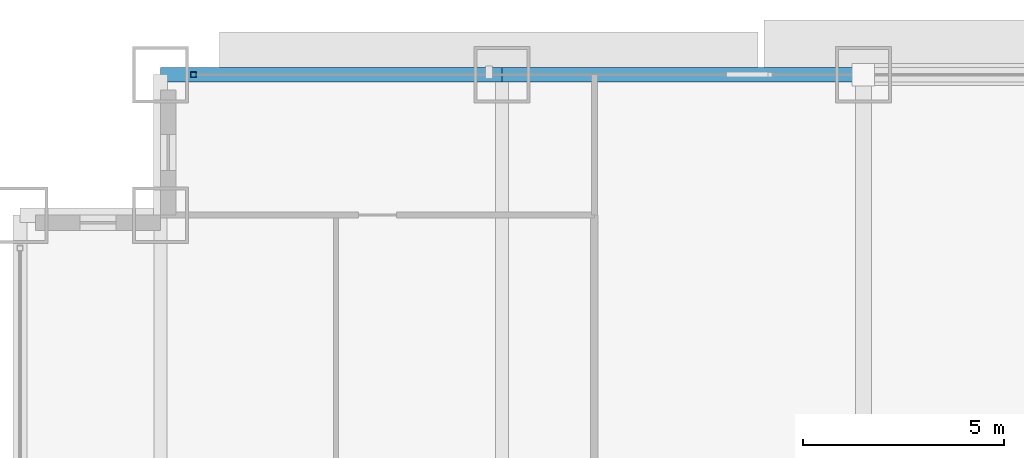
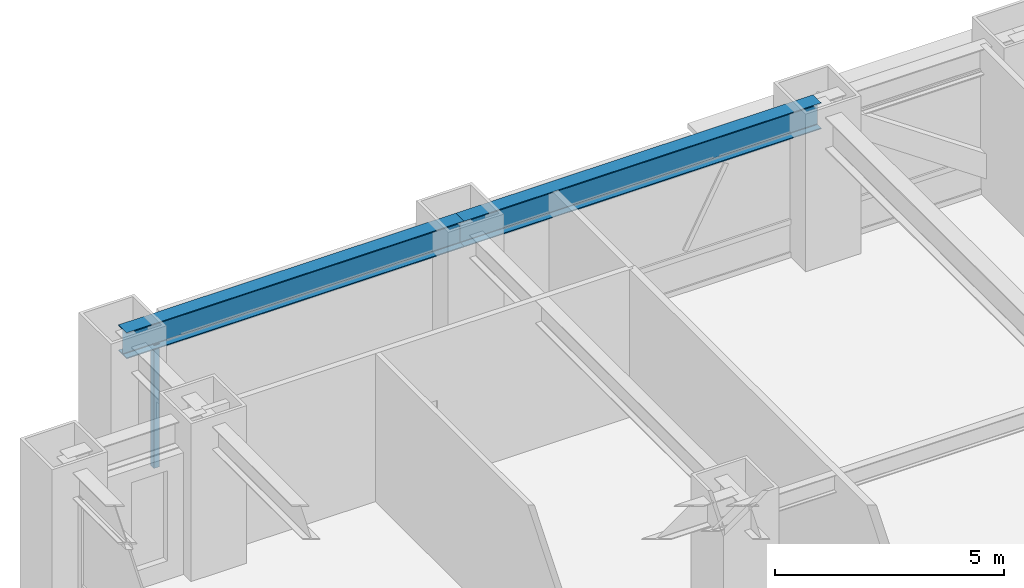
# One storey, part 17 of 32: 2 beams, 1 member, 1 element without a shape of its own.
"""IFC4 building model written with IfcOpenShell, lengths in metres."""

import ifcopenshell
import ifcopenshell.guid

model = None  # the IFC model being written
_history = None  # IfcOwnerHistory: only IFC2X3 demands one
_inside = {}  # id of a spatial element -> (the spatial element, [elements in it])
_under = {}  # id of a project, library or spatial element -> (it, [spatial elements below it])
_declared = {}  # id of a project -> (the project, [libraries it declares])
_typed = {}  # id of a type object -> (the type object, [elements of that type])
_made_of = {}  # id of a material, layer set ... -> (it, [elements and type objects made of it])


def new_model(schema):
    """Start an empty IFC model of exactly this schema.

    Asked for "IFC4X3", IfcOpenShell would pick the latest addendum, in which some entities
    have other attributes; the version numbers below select the first issue.
    IFC2X3 requires an IfcOwnerHistory on every rooted entity: one is made here for all.
    """
    global model, _history
    if schema == "IFC4X3":
        model = ifcopenshell.file(schema_version=(4, 3, 0, 0))
    else:
        model = ifcopenshell.file(schema=schema)
    _inside.clear()
    _under.clear()
    _declared.clear()
    _typed.clear()
    _made_of.clear()
    _history = None
    if model.schema == "IFC2X3":
        org = make("IfcOrganization", Name="unknown")
        user = make(
            "IfcPersonAndOrganization",
            ThePerson=make("IfcPerson", FamilyName="unknown"),
            TheOrganization=org,
        )
        app = make(
            "IfcApplication",
            ApplicationDeveloper=org,
            Version="unknown",
            ApplicationFullName="unknown",
            ApplicationIdentifier="unknown",
        )
        _history = make(
            "IfcOwnerHistory",
            OwningUser=user,
            OwningApplication=app,
            ChangeAction="ADDED",
            CreationDate=0,
        )
    return model


def make(cls, **values):
    """One entity of the class cls with the attributes given. An attribute that is None is left unset."""
    return model.create_entity(
        cls, **{name: value for name, value in values.items() if value is not None}
    )


def rooted(cls, **values):
    """An entity with a GlobalId (a new one), such as an element, a storey or a relation."""
    return make(cls, GlobalId=ifcopenshell.guid.new(), OwnerHistory=_history, **values)


def si_unit(unit_type, name, prefix=None):
    """IfcSIUnit, for example si_unit("LENGTHUNIT", "METRE", prefix="MILLI")."""
    return make("IfcSIUnit", UnitType=unit_type, Prefix=prefix, Name=name)


def assignment(units):
    """IfcUnitAssignment: the units of a project."""
    return None if units is None else make("IfcUnitAssignment", Units=units)


def point(xyz):
    """IfcCartesianPoint."""
    return None if xyz is None else make("IfcCartesianPoint", Coordinates=xyz)


def direction(xyz):
    """IfcDirection."""
    return None if xyz is None else make("IfcDirection", DirectionRatios=xyz)


def frame(location, z_axis=None, x_axis=None):
    """IfcAxis2Placement3D, a coordinate frame: its origin and axes. An axis left out is left unset."""
    return make(
        "IfcAxis2Placement3D",
        Location=point(location),
        Axis=direction(z_axis),
        RefDirection=direction(x_axis),
    )


def frame_2d(location, x_axis=None):
    """IfcAxis2Placement2D, a coordinate frame in the plane: its origin and x axis."""
    return make(
        "IfcAxis2Placement2D", Location=point(location), RefDirection=direction(x_axis)
    )


def origin():
    """The frame at (0, 0, 0) with its axes left unset."""
    return frame((0.0, 0.0, 0.0))


def origin_2d():
    """The frame at (0, 0) in the plane with its x axis left unset."""
    return frame_2d((0.0, 0.0))


def place(relative_to, where):
    """IfcLocalPlacement: puts the frame where relative to a parent placement (None: the world)."""
    return make(
        "IfcLocalPlacement", PlacementRelTo=relative_to, RelativePlacement=where
    )


def context(
    kind, dimensions, precision=None, world=None, true_north=None, identifier=None
):
    """IfcGeometricRepresentationContext, for example the 3D "Model" context."""
    return make(
        "IfcGeometricRepresentationContext",
        ContextIdentifier=identifier,
        ContextType=kind,
        CoordinateSpaceDimension=dimensions,
        Precision=precision,
        WorldCoordinateSystem=world,
        TrueNorth=true_north,
    )


def subcontext(parent, identifier, kind, view, scale=None):
    """IfcGeometricRepresentationSubContext, for example "Body" below "Model"."""
    return make(
        "IfcGeometricRepresentationSubContext",
        ContextIdentifier=identifier,
        ContextType=kind,
        ParentContext=parent,
        TargetScale=scale,
        TargetView=view,
    )


def project(units=None, contexts=None):
    """IfcProject with its units and contexts."""
    return rooted(
        "IfcProject",
        Name="project",
        RepresentationContexts=contexts,
        UnitsInContext=assignment(units),
    )


def spatial(cls, under=None, at=None, **own):
    """A site, building, storey or space (cls), placed at a placement, below another one or the project."""
    s = rooted(cls, ObjectPlacement=at, **own)
    if under is not None:
        _under.setdefault(under.id(), (under, []))[1].append(s)
    return s


def profile(cls, at=None, kind="AREA", **sizes):
    """A parametric profile (cls). Its sizes go by their IFC names, for example OverallWidth=200.0."""
    return make(cls, ProfileType=kind, Position=at, **sizes)


def hollow_rectangle(**sizes):
    """IfcRectangleHollowProfileDef."""
    return profile("IfcRectangleHollowProfileDef", **sizes)


def i_section(**sizes):
    """IfcIShapeProfileDef."""
    return profile("IfcIShapeProfileDef", **sizes)


def extrude(swept, where, along, depth):
    """IfcExtrudedAreaSolid: the profile swept, set in the frame where, extruded along a direction by depth."""
    return make(
        "IfcExtrudedAreaSolid",
        SweptArea=swept,
        Position=where,
        ExtrudedDirection=direction(along),
        Depth=depth,
    )


def shape(context_of_items, identifier, shape_type, items):
    """IfcShapeRepresentation: the items that make up one representation, for example the "Body"."""
    return make(
        "IfcShapeRepresentation",
        ContextOfItems=context_of_items,
        RepresentationIdentifier=identifier,
        RepresentationType=shape_type,
        Items=items,
    )


def source(mapping_origin, context_of_items, identifier, shape_type, items):
    """IfcRepresentationMap: a shape defined once, which mapped items show again and again."""
    return make(
        "IfcRepresentationMap",
        MappingOrigin=mapping_origin,
        MappedRepresentation=shape(context_of_items, identifier, shape_type, items),
    )


def transform(
    local_origin,
    x_axis=None,
    y_axis=None,
    z_axis=None,
    scale=None,
    scale2=None,
    scale3=None,
    uniform=True,
):
    """IfcCartesianTransformationOperator3D, or its non-uniform kind. x_axis, y_axis, z_axis: its Axis1, 2, 3."""
    if uniform:
        return make(
            "IfcCartesianTransformationOperator3D",
            Axis1=direction(x_axis),
            Axis2=direction(y_axis),
            LocalOrigin=point(local_origin),
            Scale=scale,
            Axis3=direction(z_axis),
        )
    return make(
        "IfcCartesianTransformationOperator3DnonUniform",
        Axis1=direction(x_axis),
        Axis2=direction(y_axis),
        LocalOrigin=point(local_origin),
        Scale=scale,
        Axis3=direction(z_axis),
        Scale2=scale2,
        Scale3=scale3,
    )


def mapped(mapping_source, mapping_target):
    """IfcMappedItem: shows the shape of a source again, moved by a transform."""
    return make(
        "IfcMappedItem", MappingSource=mapping_source, MappingTarget=mapping_target
    )


def material(Name=None, Category=None):
    """IfcMaterial."""
    return make("IfcMaterial", Name=Name, Category=Category)


def material_profile(
    of_material, cross_section, Name=None, Category=None, Priority=None
):
    """IfcMaterialProfile: a cross section and its material."""
    return make(
        "IfcMaterialProfile",
        Name=Name,
        Material=of_material,
        Profile=cross_section,
        Priority=Priority,
        Category=Category,
    )


def profile_set(profiles, Name=None, composite=None):
    """IfcMaterialProfileSet."""
    return make(
        "IfcMaterialProfileSet",
        Name=Name,
        MaterialProfiles=profiles,
        CompositeProfile=composite,
    )


def made_of(thing, what):
    """Note that an element or type object is made of a material, layer set ...; save() writes the relation."""
    if what is not None:
        _made_of.setdefault(what.id(), (what, []))[1].append(thing)
    return thing


def type_object(cls, material=None, **own):
    """A type object (cls), such as IfcWallType, which elements share."""
    return made_of(rooted(cls, **own), material)


def element(
    cls,
    number,
    at=None,
    inside=None,
    cuts=None,
    type_object=None,
    material=None,
    context=None,
    identifier="Body",
    shape_type=None,
    held_by="IfcProductDefinitionShape",
    body=None,
    shapes=None,
    **own,
):
    """One element of the class cls, such as IfcWall. Its Tag is "e" and its number.

    at: its placement. inside: the storey or other place that contains it. cuts: it is an
    opening in that element (IfcRelVoidsElement). A single representation is given by context,
    identifier, shape_type and body (its items); several are given by shapes. held_by: the class
    of the entity that holds the representations. save() writes the other relations.
    """
    e = rooted(cls, Tag="e%d" % number, ObjectPlacement=at, **own)
    if body is not None:
        shapes = [shape(context, identifier, shape_type, body)]
    if shapes is not None:
        e.Representation = make(held_by, Representations=shapes)
    if inside is not None:
        _inside.setdefault(inside.id(), (inside, []))[1].append(e)
    if cuts is not None:
        rooted(
            "IfcRelVoidsElement", RelatingBuildingElement=cuts, RelatedOpeningElement=e
        )
    if type_object is not None:
        _typed.setdefault(type_object.id(), (type_object, []))[1].append(e)
    return made_of(e, material)


def aggregate(whole, parts):
    """IfcRelAggregates: a whole, such as a stair, and the parts it consists of."""
    return rooted("IfcRelAggregates", RelatingObject=whole, RelatedObjects=parts)


def save(model, path):
    """Write the relations noted so far, then the file.

    IfcRelAggregates (storeys below a building ...), IfcRelContainedInSpatialStructure (elements
    in a storey), IfcRelDefinesByType, IfcRelAssociatesMaterial and IfcRelDeclares: one each for
    every whole, place, type object, material and project.
    """
    for whole, parts in _under.values():
        aggregate(whole, parts)
    for where, things in _inside.values():
        rooted(
            "IfcRelContainedInSpatialStructure",
            RelatedElements=things,
            RelatingStructure=where,
        )
    for kind, things in _typed.values():
        rooted("IfcRelDefinesByType", RelatedObjects=things, RelatingType=kind)
    for what, things in _made_of.values():
        rooted("IfcRelAssociatesMaterial", RelatedObjects=things, RelatingMaterial=what)
    for by, libraries in _declared.values():
        rooted("IfcRelDeclares", RelatingContext=by, RelatedDefinitions=libraries)
    model.write(path)


model = new_model("IFC4")

# Units and contexts
model_context = context("Model", 3, precision=1e-05, world=origin(), true_north=direction((0.0, 1.0)))
body_context = subcontext(model_context, "Body", "Model", "MODEL_VIEW")
ifc_project = project(units=[si_unit("LENGTHUNIT", "METRE"), si_unit("AREAUNIT", "SQUARE_METRE"), si_unit("VOLUMEUNIT", "CUBIC_METRE"), si_unit("PLANEANGLEUNIT", "RADIAN"), si_unit("MASSUNIT", "GRAM", prefix="KILO")], contexts=[model_context])

# Site, building, storey
site_placement = place(None, origin())
site = spatial("IfcSite", under=ifc_project, at=site_placement, CompositionType="ELEMENT")
building_placement = place(site_placement, origin())
building = spatial("IfcBuilding", under=site, at=building_placement, Name="Khorayat Bourse Tower", CompositionType="ELEMENT")
storey_placement = place(building_placement, frame((0.0, 0.0, 74.60009765625)))
storey = spatial("IfcBuildingStorey", under=building, at=storey_placement, Name="L16", CompositionType="ELEMENT", Elevation=74.60009765625)

# Beams
ifc_material_1 = material(Name="Steel ASTM A992 Grade 50", Category="steel")
ifc_material_profile_1 = material_profile(ifc_material_1, i_section(OverallWidth=0.35498046875, OverallDepth=0.695068359375, WebThickness=0.015380859375, FlangeThickness=0.02490234375, FilletRadius=0.01806640625, at=origin_2d()), Name="W690X217")
ifc_profile_set_1 = profile_set([ifc_material_profile_1], Name="Steel ASTM A992 Grade 50")
beam_type = type_object("IfcBeamType", Name="BM-SPAN-690", PredefinedType="SPANDREL", material=ifc_profile_set_1)
shared_shape_1 = source(origin(), body_context, "Body", "SweptSolid", [
    extrude(i_section(OverallWidth=0.35498046875, OverallDepth=0.695068359375, WebThickness=0.015380859375, FlangeThickness=0.02490234375, FilletRadius=0.01806640625, at=origin_2d()), origin(), (0.0, 0.0, 1.0), 8.5),
])
beam_1_placement = place(storey_placement, frame((-28.5, 32.0, 3.59228515625), z_axis=(1.0, 0.0, 0.0), x_axis=(0.0, 1.0, 0.0)))
element("IfcBeam", 1, at=beam_1_placement, inside=storey, type_object=beam_type, Name="L16 BM-SPAN-690 BM-L16-SPN-051", PredefinedType="SPANDREL", context=body_context, shape_type="MappedRepresentation", body=[
    mapped(shared_shape_1, transform((0.0, 0.0, 0.0), scale=1.0)),
])
shared_shape_2 = source(origin(), body_context, "Body", "SweptSolid", [
    extrude(i_section(OverallWidth=0.35498046875, OverallDepth=0.695068359375, WebThickness=0.015380859375, FlangeThickness=0.02490234375, FilletRadius=0.01806640625, at=origin_2d()), origin(), (0.0, 0.0, 1.0), 9.0),
])
beam_2_placement = place(storey_placement, frame((-20.0, 32.0, 3.59228515625), z_axis=(1.0, 0.0, 0.0), x_axis=(0.0, 1.0, 0.0)))
element("IfcBeam", 2, at=beam_2_placement, inside=storey, type_object=beam_type, Name="L16 BM-SPAN-690 BM-L16-SPN-050", PredefinedType="SPANDREL", context=body_context, shape_type="MappedRepresentation", body=[
    mapped(shared_shape_2, transform((0.0, 0.0, 0.0), scale=1.0)),
])

# Curtain wall, member
ifc_material_2 = material(Name="Aluminium EN AW-6063 T6", Category="aluminium")
curtain_wall_type = type_object("IfcCurtainWallType", Name="CW-SYS-02", PredefinedType="NOTDEFINED", material=ifc_material_2)
curtain_wall_placement = place(storey_placement, origin())
curtain_wall = element("IfcCurtainWall", 3, at=curtain_wall_placement, inside=storey, type_object=curtain_wall_type, Name="L16 Curtain Wall CW-L16-N1", PredefinedType="NOTDEFINED")
ifc_material_profile_2 = material_profile(ifc_material_2, hollow_rectangle(XDim=0.139892578125, YDim=0.139892578125, WallThickness=0.006103515625, at=origin_2d()), Name="ALU 140x140x6")
ifc_profile_set_2 = profile_set([ifc_material_profile_2], Name="Aluminium EN AW-6063 T6")
member_type = type_object("IfcMemberType", Name="CWM-VERT-140", PredefinedType="MULLION", material=ifc_profile_set_2)
shared_shape_3 = source(origin(), body_context, "Body", "SweptSolid", [
    extrude(hollow_rectangle(XDim=0.139892578125, YDim=0.139892578125, WallThickness=0.006103515625, at=origin_2d()), origin(), (0.0, 0.0, 1.0), 3.289794921875),
])
member_placement = place(storey_placement, frame((-27.679931640625, 32.0, 0.0), z_axis=(0.0, 0.0, 1.0), x_axis=(0.0, 1.0, 0.0)))
member = element("IfcMember", 4, at=member_placement, type_object=member_type, Name="CW-L16-N1 Vertical Mullion 1", PredefinedType="MULLION", context=body_context, shape_type="MappedRepresentation", body=[
    mapped(shared_shape_3, transform((0.0, 0.0, 0.0), scale=1.0)),
])
aggregate(curtain_wall, [member])

save(model, "model.ifc")
